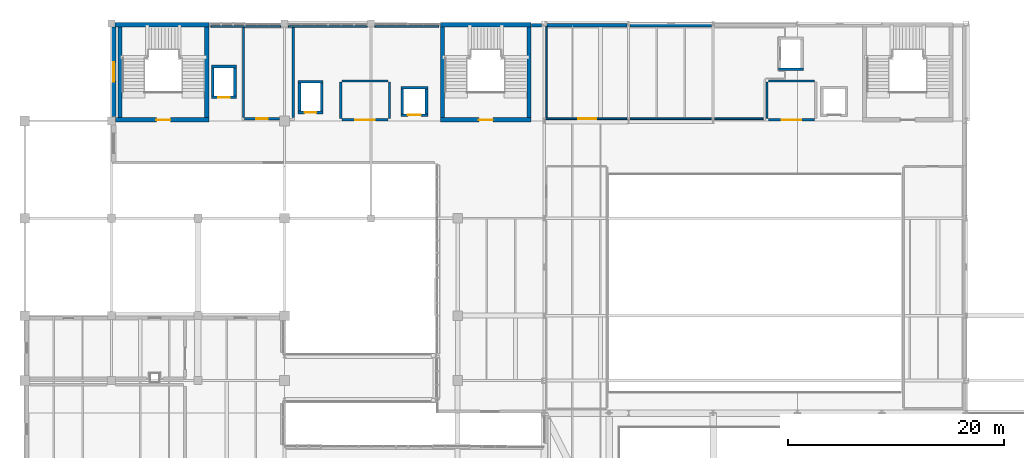
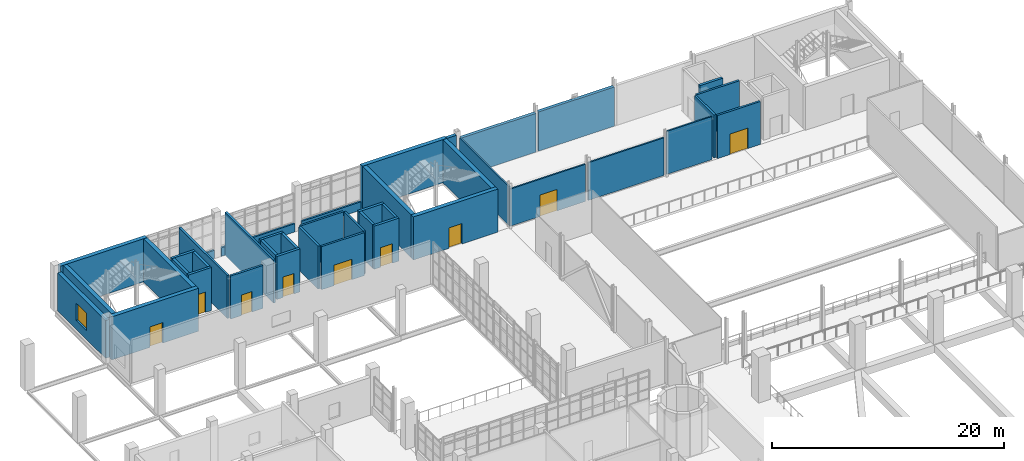
# One storey, part 90 of 100: 42 walls, 9 doors, 1 window, 10 openings.
"""IFC4 building model written with IfcOpenShell, lengths in metres."""

from ifc_helpers import new_model, si_unit, derived_unit, direction, frame, frame_2d, origin, place, context, subcontext, project, spatial, rectangle, extrude, material, layer, layer_set, type_object, element, fill, save


model = new_model("IFC4")

# Units and contexts
model_context = context("Model", 3, precision=1e-05, world=origin(), true_north=direction((0.0, 1.0)))
body_context = subcontext(model_context, "Body", "Model", "MODEL_VIEW")
ifc_project = project(units=[si_unit("LENGTHUNIT", "METRE"), si_unit("AREAUNIT", "SQUARE_METRE"), si_unit("VOLUMEUNIT", "CUBIC_METRE"), si_unit("PLANEANGLEUNIT", "RADIAN"), si_unit("MASSUNIT", "GRAM", prefix="KILO"), derived_unit("THERMALTRANSMITTANCEUNIT", [(si_unit("POWERUNIT", "WATT"), 1), (si_unit("LENGTHUNIT", "METRE"), -2), (si_unit("THERMODYNAMICTEMPERATUREUNIT", "KELVIN"), -1)])], contexts=[model_context])

# Site, building, storey
site_placement = place(None, origin())
site = spatial("IfcSite", under=ifc_project, at=site_placement, CompositionType="ELEMENT")
building_placement = place(site_placement, origin())
building = spatial("IfcBuilding", under=site, at=building_placement, Name="Nallur Shell Playhouse", CompositionType="ELEMENT")
storey_placement = place(building_placement, frame((0.0, 0.0, 10.199951171875)))
storey = spatial("IfcBuildingStorey", under=building, at=storey_placement, Name="L03", CompositionType="ELEMENT", Elevation=10.199951171875)

# Wall, opening, door
ifc_material_1 = material(Name="Concrete M45", Category="concrete")
ifc_layer_1 = layer(ifc_material_1, 0.39990234375)
ifc_layer_set_1 = layer_set([ifc_layer_1], Name="Concrete M45")
wall_type_1 = type_object("IfcWallType", Name="WL-CORE-400", PredefinedType="SHEAR", material=ifc_layer_set_1)
wall_1_placement = place(storey_placement, frame((54.39990234375, 74.10009765625, 0.0), z_axis=(0.0, 0.0, 1.0), x_axis=(1.0, 0.0, 0.0)))
wall_1 = element("IfcWall", 1, at=wall_1_placement, inside=storey, type_object=wall_type_1, Name="Joint Core JC-3 shear wall S (L03)", PredefinedType="SHEAR", context=body_context, shape_type="SweptSolid", body=[
    extrude(rectangle(XDim=8.400146484375, YDim=0.39990234375, at=frame_2d((4.2001953125, 0.0))), origin(), (0.0, 0.0, 1.0), 4.5400390625),
])
opening_1_placement = place(wall_1_placement, frame((3.550048828125, 0.0, 0.0)))
opening_1 = element("IfcOpeningElement", 2, at=opening_1_placement, cuts=wall_1, Name="Opening FD-ST2", PredefinedType="OPENING", context=body_context, shape_type="SweptSolid", body=[
    extrude(rectangle(XDim=1.300048828125, YDim=2.14990234375, at=frame_2d((0.64990234375, 1.074951171875))), frame((0.0, 0.2099609375, 0.0), z_axis=(0.0, -1.0, 0.0), x_axis=(1.0, 0.0, 0.0)), (0.0, 0.0, 1.0), 0.419921875),
])
ifc_material_2 = material(Name="Galvanised Steel Fire-Rated Stair Door", Category="steel")
door_type_1 = type_object("IfcDoorType", Name="DR-INT-STAIR-R", OperationType="SINGLE_SWING_RIGHT", PredefinedType="DOOR", material=ifc_material_2)
door_1_placement = place(opening_1_placement, origin())
door_1 = element("IfcDoor", 3, at=door_1_placement, inside=storey, type_object=door_type_1, Name="Exit stair ST-03 fire door (L03)", OperationType="SINGLE_SWING_RIGHT", OverallHeight=2.14990234375, OverallWidth=1.300048828125, PredefinedType="DOOR", context=body_context, shape_type="SweptSolid", body=[
    extrude(rectangle(XDim=1.300048828125, YDim=2.14990234375, at=frame_2d((0.64990234375, 1.074951171875))), frame((0.0, 0.02490234375, 0.0), z_axis=(0.0, -1.0, 0.0), x_axis=(1.0, 0.0, 0.0)), (0.0, 0.0, 1.0), 0.050048828125),
])
fill(opening_1, door_1)

# Walls
wall_2_placement = place(storey_placement, frame((62.800048828125, 82.89990234375, 0.0), z_axis=(0.0, 0.0, 1.0), x_axis=(-1.0, 0.0, 0.0)))
element("IfcWall", 4, at=wall_2_placement, inside=storey, type_object=wall_type_1, Name="Joint Core JC-3 shear wall N (L03)", PredefinedType="SHEAR", context=body_context, shape_type="SweptSolid", body=[
    extrude(rectangle(XDim=8.400146484375, YDim=0.39990234375, at=frame_2d((4.2001953125, 0.0))), origin(), (0.0, 0.0, 1.0), 4.5400390625),
])
for number, where, z_axis, x_axis, name in (
    (5, (62.60009765625, 74.31005859375, 0.0), (0.0, 0.0, 1.0), (0.0, 1.0, 0.0), "Joint Core JC-3 shear wall E (L03)"),
    (6, (54.60009765625, 82.68994140625, 0.0), (0.0, 0.0, 1.0), (0.0, -1.0, 0.0), "Joint Core JC-3 shear wall W (L03)"),
):
    element("IfcWall", number, at=place(storey_placement, frame(where, z_axis=z_axis, x_axis=x_axis)), inside=storey, type_object=wall_type_1, Name=name, PredefinedType="SHEAR", context=body_context, shape_type="SweptSolid", body=[
        extrude(rectangle(XDim=8.3798828125, YDim=0.39990234375, at=frame_2d((4.18994140625, 0.0))), origin(), (0.0, 0.0, 1.0), 4.5400390625),
    ])

# Wall, opening, door
wall_3_placement = place(storey_placement, frame((24.3740234375, 74.10009765625, 0.0), z_axis=(0.0, 0.0, 1.0), x_axis=(1.0, 0.0, 0.0)))
wall_3 = element("IfcWall", 7, at=wall_3_placement, inside=storey, type_object=wall_type_1, Name="Joint Core JC-6 shear wall S (L03)", PredefinedType="SHEAR", context=body_context, shape_type="SweptSolid", body=[
    extrude(rectangle(XDim=8.6259765625, YDim=0.39990234375, at=frame_2d((4.31298828125, 0.0))), origin(), (0.0, 0.0, 1.0), 4.5400390625),
])
opening_2_placement = place(wall_3_placement, frame((3.77587890625, 0.0, 0.0)))
opening_2 = element("IfcOpeningElement", 8, at=opening_2_placement, cuts=wall_3, Name="Opening FD-ST1", PredefinedType="OPENING", context=body_context, shape_type="SweptSolid", body=[
    extrude(rectangle(XDim=1.300048828125, YDim=2.14990234375, at=frame_2d((0.64990234375, 1.074951171875))), frame((0.0, 0.2099609375, 0.0), z_axis=(0.0, -1.0, 0.0), x_axis=(1.0, 0.0, 0.0)), (0.0, 0.0, 1.0), 0.419921875),
])
door_type_2 = type_object("IfcDoorType", Name="DR-INT-STAIR-L", OperationType="SINGLE_SWING_LEFT", PredefinedType="DOOR", material=ifc_material_2)
door_2_placement = place(opening_2_placement, origin())
door_2 = element("IfcDoor", 9, at=door_2_placement, inside=storey, type_object=door_type_2, Name="Exit stair ST-06 fire door (L03)", OperationType="SINGLE_SWING_LEFT", OverallHeight=2.14990234375, OverallWidth=1.300048828125, PredefinedType="DOOR", context=body_context, shape_type="SweptSolid", body=[
    extrude(rectangle(XDim=1.300048828125, YDim=2.14990234375, at=frame_2d((0.64990234375, 1.074951171875))), frame((0.0, 0.02490234375, 0.0), z_axis=(0.0, -1.0, 0.0), x_axis=(1.0, 0.0, 0.0)), (0.0, 0.0, 1.0), 0.050048828125),
])
fill(opening_2, door_2)

# Walls
wall_4_placement = place(storey_placement, frame((33.0, 82.89990234375, 0.0), z_axis=(0.0, 0.0, 1.0), x_axis=(-1.0, 0.0, 0.0)))
element("IfcWall", 10, at=wall_4_placement, inside=storey, type_object=wall_type_1, Name="Joint Core JC-6 shear wall N (L03)", PredefinedType="SHEAR", context=body_context, shape_type="SweptSolid", body=[
    extrude(rectangle(XDim=8.676025390625, YDim=0.39990234375, at=frame_2d((4.337890625, 0.0))), origin(), (0.0, 0.0, 1.0), 4.5400390625),
])
for number, where, z_axis, x_axis, name in (
    (11, (32.800048828125, 74.31005859375, 0.0), (0.0, 0.0, 1.0), (0.0, 1.0, 0.0), "Joint Core JC-6 shear wall E (L03)"),
    (12, (24.800048828125, 82.68994140625, 0.0), (0.0, 0.0, 1.0), (0.0, -1.0, 0.0), "Joint Core JC-6 shear wall W (L03)"),
):
    element("IfcWall", number, at=place(storey_placement, frame(where, z_axis=z_axis, x_axis=x_axis)), inside=storey, type_object=wall_type_1, Name=name, PredefinedType="SHEAR", context=body_context, shape_type="SweptSolid", body=[
        extrude(rectangle(XDim=8.3798828125, YDim=0.39990234375, at=frame_2d((4.18994140625, 0.0))), origin(), (0.0, 0.0, 1.0), 4.5400390625),
    ])
ifc_material_3 = material(Name="Concrete M35", Category="concrete")
ifc_layer_2 = layer(ifc_material_3, 0.300048828125)
ifc_layer_set_2 = layer_set([ifc_layer_2], Name="Concrete M35")
wall_type_2 = type_object("IfcWallType", Name="WL-EXT-RC300", PredefinedType="STANDARD", material=ifc_layer_set_2)
wall_5_placement = place(storey_placement, frame((62.803955078125, 82.830078125, 0.0), z_axis=(0.0, 0.0, 1.0), x_axis=(1.0, 0.0, 0.0)))
element("IfcWall", 13, at=wall_5_placement, inside=storey, type_object=wall_type_2, Name="L03 exterior wall EW-L03-132", PredefinedType="STANDARD", context=body_context, shape_type="SweptSolid", body=[
    extrude(rectangle(XDim=0.963134765625, YDim=0.300048828125, at=frame_2d((0.4814453125, 0.0))), origin(), (0.0, 0.0, 1.0), 4.5400390625),
])
wall_6_placement = place(storey_placement, frame((64.23291015625, 82.830078125, 0.0), z_axis=(0.0, 0.0, 1.0), x_axis=(1.0, 0.0, 0.0)))
element("IfcWall", 14, at=wall_6_placement, inside=storey, type_object=wall_type_2, Name="L03 exterior wall EW-L03-133", PredefinedType="STANDARD", context=body_context, shape_type="SweptSolid", body=[
    extrude(rectangle(XDim=7.43408203125, YDim=0.300048828125, at=frame_2d((3.717041015625, 0.0))), origin(), (0.0, 0.0, 1.0), 4.074951171875),
])
wall_7_placement = place(storey_placement, frame((71.93310546875, 82.830078125, 0.0), z_axis=(0.0, 0.0, 1.0), x_axis=(1.0, 0.0, 0.0)))
element("IfcWall", 15, at=wall_7_placement, inside=storey, type_object=wall_type_2, Name="L03 exterior wall EW-L03-134", PredefinedType="STANDARD", context=body_context, shape_type="SweptSolid", body=[
    extrude(rectangle(XDim=7.533935546875, YDim=0.300048828125, at=frame_2d((3.76708984375, 0.0))), origin(), (0.0, 0.0, 1.0), 4.125),
])

# Wall, opening, window
ifc_material_4 = material(Name="Concrete M40", Category="concrete")
ifc_layer_3 = layer(ifc_material_4, 0.39990234375)
ifc_layer_set_3 = layer_set([ifc_layer_3], Name="Concrete M40")
wall_type_3 = type_object("IfcWallType", Name="WL-EXT-RC400", PredefinedType="STANDARD", material=ifc_layer_set_3)
wall_8_placement = place(storey_placement, frame((24.219970703125, 74.383056640625, 0.0), z_axis=(0.0, 0.0, 1.0), x_axis=(0.0, 1.0, 0.0)))
wall_8 = element("IfcWall", 16, at=wall_8_placement, inside=storey, type_object=wall_type_3, Name="L03 exterior wall EW-L03-131", PredefinedType="STANDARD", context=body_context, shape_type="SweptSolid", body=[
    extrude(rectangle(XDim=8.283935546875, YDim=0.39990234375, at=frame_2d((4.14208984375, 0.0))), origin(), (0.0, 0.0, 1.0), 3.97509765625),
])
opening_3_placement = place(wall_8_placement, frame((3.241943359375, 0.0, 0.949951171875)))
opening_3 = element("IfcOpeningElement", 17, at=opening_3_placement, cuts=wall_8, Name="Opening WN-23", PredefinedType="OPENING", context=body_context, shape_type="SweptSolid", body=[
    extrude(rectangle(XDim=1.800048828125, YDim=1.800048828125, at=frame_2d((0.89990234375, 0.89990234375))), frame((0.0, 0.2099609375, 0.0), z_axis=(0.0, -1.0, 0.0), x_axis=(1.0, 0.0, 0.0)), (0.0, 0.0, 1.0), 0.419921875),
])
ifc_material_5 = material(Name="Thermally Broken Aluminium Acoustic Double-Glazed Window", Category="aluminium")
window_type = type_object("IfcWindowType", Name="WN-TYPE-23", PartitioningType="SINGLE_PANEL", PredefinedType="WINDOW", material=ifc_material_5)
window_placement = place(opening_3_placement, origin())
window = element("IfcWindow", 18, at=window_placement, inside=storey, type_object=window_type, Name="L03 facade module window 055", OverallHeight=1.800048828125, OverallWidth=1.800048828125, PartitioningType="SINGLE_PANEL", PredefinedType="WINDOW", context=body_context, shape_type="SweptSolid", body=[
    extrude(rectangle(XDim=1.800048828125, YDim=1.800048828125, at=frame_2d((0.89990234375, 0.89990234375))), frame((0.0, 0.030029296875, 0.0), z_axis=(0.0, -1.0, 0.0), x_axis=(1.0, 0.0, 0.0)), (0.0, 0.0, 1.0), 0.06005859375),
])
fill(opening_3, window)

# Walls
ifc_layer_4 = layer(ifc_material_3, 0.179931640625)
ifc_layer_set_4 = layer_set([ifc_layer_4], Name="Concrete M35")
wall_type_4 = type_object("IfcWallType", Name="WL-PARAPET-180", PredefinedType="PARAPET", material=ifc_layer_set_4)
wall_9_placement = place(storey_placement, frame((33.169921875, 82.760009765625, 0.0), z_axis=(0.0, 0.0, 1.0), x_axis=(1.0, 0.0, 0.0)))
element("IfcWall", 19, at=wall_9_placement, inside=storey, type_object=wall_type_4, Name="L03 curtain-wall internal spandrel upstand 033", PredefinedType="PARAPET", context=body_context, shape_type="SweptSolid", body=[
    extrude(rectangle(XDim=6.4951171875, YDim=0.179931640625, at=frame_2d((3.24755859375, 0.0))), origin(), (0.0, 0.0, 1.0), 0.880126953125),
])
wall_10_placement = place(storey_placement, frame((40.3349609375, 82.760009765625, 0.0), z_axis=(0.0, 0.0, 1.0), x_axis=(1.0, 0.0, 0.0)))
element("IfcWall", 20, at=wall_10_placement, inside=storey, type_object=wall_type_4, Name="L03 curtain-wall internal spandrel upstand 034", PredefinedType="PARAPET", context=body_context, shape_type="SweptSolid", body=[
    extrude(rectangle(XDim=7.330078125, YDim=0.179931640625, at=frame_2d((3.6650390625, 0.0))), origin(), (0.0, 0.0, 1.0), 0.880126953125),
])
wall_11_placement = place(storey_placement, frame((48.3349609375, 82.760009765625, 0.0), z_axis=(0.0, 0.0, 1.0), x_axis=(1.0, 0.0, 0.0)))
element("IfcWall", 21, at=wall_11_placement, inside=storey, type_object=wall_type_4, Name="L03 curtain-wall internal spandrel upstand 035", PredefinedType="PARAPET", context=body_context, shape_type="SweptSolid", body=[
    extrude(rectangle(XDim=5.89501953125, YDim=0.179931640625, at=frame_2d((2.947509765625, 0.0))), origin(), (0.0, 0.0, 1.0), 0.880126953125),
])
ifc_material_6 = material(Name="Concrete M30", Category="concrete")
ifc_layer_5 = layer(ifc_material_6, 0.199951171875)
ifc_layer_set_5 = layer_set([ifc_layer_5], Name="Concrete M30")
wall_type_5 = type_object("IfcWallType", Name="WL-PART-AC200", PredefinedType="PARTITIONING", material=ifc_layer_set_5)
wall_12_placement = place(storey_placement, frame((45.199951171875, 74.219970703125, 0.0), z_axis=(0.0, 0.0, 1.0), x_axis=(0.0, 1.0, 0.0)))
element("IfcWall", 22, at=wall_12_placement, inside=storey, type_object=wall_type_5, Name="Firefighting Lobby JC-3 partition IW-L03-0197", PredefinedType="PARTITIONING", context=body_context, shape_type="SweptSolid", body=[
    extrude(rectangle(XDim=3.360107421875, YDim=0.199951171875, at=frame_2d((1.68017578125, 0.0))), origin(), (0.0, 0.0, 1.0), 4.530029296875),
])
wall_13_placement = place(storey_placement, frame((45.320068359375, 77.699951171875, 0.0), z_axis=(0.0, 0.0, 1.0), x_axis=(1.0, 0.0, 0.0)))
element("IfcWall", 23, at=wall_13_placement, inside=storey, type_object=wall_type_5, Name="Firefighting Lobby JC-3 partition IW-L03-0198", PredefinedType="PARTITIONING", context=body_context, shape_type="SweptSolid", body=[
    extrude(rectangle(XDim=4.260009765625, YDim=0.199951171875, at=frame_2d((2.1298828125, 0.0))), origin(), (0.0, 0.0, 1.0), 4.530029296875),
])
wall_14_placement = place(storey_placement, frame((49.699951171875, 77.580078125, 0.0), z_axis=(0.0, 0.0, 1.0), x_axis=(0.0, -1.0, 0.0)))
element("IfcWall", 24, at=wall_14_placement, inside=storey, type_object=wall_type_5, Name="Firefighting Lobby JC-3 partition IW-L03-0199", PredefinedType="PARTITIONING", context=body_context, shape_type="SweptSolid", body=[
    extrude(rectangle(XDim=3.360107421875, YDim=0.199951171875, at=frame_2d((1.68017578125, 0.0))), origin(), (0.0, 0.0, 1.0), 4.530029296875),
])

# Wall, opening, door
wall_15_placement = place(storey_placement, frame((49.580078125, 74.10009765625, 0.0), z_axis=(0.0, 0.0, 1.0), x_axis=(-1.0, 0.0, 0.0)))
wall_15 = element("IfcWall", 25, at=wall_15_placement, inside=storey, type_object=wall_type_5, Name="Firefighting Lobby JC-3 partition IW-L03-0200", PredefinedType="PARTITIONING", context=body_context, shape_type="SweptSolid", body=[
    extrude(rectangle(XDim=4.260009765625, YDim=0.199951171875, at=frame_2d((2.1298828125, 0.0))), origin(), (0.0, 0.0, 1.0), 4.530029296875),
])
opening_4_placement = place(wall_15_placement, frame((1.22998046875, 0.0, 0.0)))
opening_4 = element("IfcOpeningElement", 26, at=opening_4_placement, cuts=wall_15, Name="Opening FD-FL1", PredefinedType="OPENING", context=body_context, shape_type="SweptSolid", body=[
    extrude(rectangle(XDim=1.800048828125, YDim=2.14990234375, at=frame_2d((0.89990234375, 1.074951171875))), frame((0.0, 0.10986328125, 0.0), z_axis=(0.0, -1.0, 0.0), x_axis=(1.0, 0.0, 0.0)), (0.0, 0.0, 1.0), 0.219970703125),
])
ifc_material_7 = material(Name="Firefighting Lobby Smoke-Seal Double Door")
door_type_3 = type_object("IfcDoorType", Name="DR-INT-FFL-DBL", OperationType="DOUBLE_DOOR_SINGLE_SWING", PredefinedType="DOOR", material=ifc_material_7)
door_3_placement = place(opening_4_placement, origin())
door_3 = element("IfcDoor", 27, at=door_3_placement, inside=storey, type_object=door_type_3, Name="Firefighting Lobby JC-3 smoke-seal door (L03)", OperationType="DOUBLE_DOOR_SINGLE_SWING", OverallHeight=2.14990234375, OverallWidth=1.800048828125, PredefinedType="DOOR", context=body_context, shape_type="SweptSolid", body=[
    extrude(rectangle(XDim=1.800048828125, YDim=2.14990234375, at=frame_2d((0.89990234375, 1.074951171875))), frame((0.0, 0.02490234375, 0.0), z_axis=(0.0, -1.0, 0.0), x_axis=(1.0, 0.0, 0.0)), (0.0, 0.0, 1.0), 0.050048828125),
])
fill(opening_4, door_3)

# Walls
wall_16_placement = place(storey_placement, frame((84.60009765625, 74.219970703125, 0.0), z_axis=(0.0, 0.0, 1.0), x_axis=(0.0, 1.0, 0.0)))
element("IfcWall", 28, at=wall_16_placement, inside=storey, type_object=wall_type_5, Name="Firefighting Lobby JC-4 partition IW-L03-0201", PredefinedType="PARTITIONING", context=body_context, shape_type="SweptSolid", body=[
    extrude(rectangle(XDim=3.360107421875, YDim=0.199951171875, at=frame_2d((1.68017578125, 0.0))), origin(), (0.0, 0.0, 1.0), 4.530029296875),
])
wall_17_placement = place(storey_placement, frame((84.719970703125, 77.699951171875, 0.0), z_axis=(0.0, 0.0, 1.0), x_axis=(1.0, 0.0, 0.0)))
element("IfcWall", 29, at=wall_17_placement, inside=storey, type_object=wall_type_5, Name="Firefighting Lobby JC-4 partition IW-L03-0202", PredefinedType="PARTITIONING", context=body_context, shape_type="SweptSolid", body=[
    extrude(rectangle(XDim=4.260009765625, YDim=0.199951171875, at=frame_2d((2.1298828125, 0.0))), origin(), (0.0, 0.0, 1.0), 4.530029296875),
])

# Wall, opening, door
wall_18_placement = place(storey_placement, frame((88.97998046875, 74.10009765625, 0.0), z_axis=(0.0, 0.0, 1.0), x_axis=(-1.0, 0.0, 0.0)))
wall_18 = element("IfcWall", 30, at=wall_18_placement, inside=storey, type_object=wall_type_5, Name="Firefighting Lobby JC-4 partition IW-L03-0204", PredefinedType="PARTITIONING", context=body_context, shape_type="SweptSolid", body=[
    extrude(rectangle(XDim=4.260009765625, YDim=0.199951171875, at=frame_2d((2.1298828125, 0.0))), origin(), (0.0, 0.0, 1.0), 4.530029296875),
])
opening_5_placement = place(wall_18_placement, frame((1.22998046875, 0.0, 0.0)))
opening_5 = element("IfcOpeningElement", 31, at=opening_5_placement, cuts=wall_18, Name="Opening FD-FL1", PredefinedType="OPENING", context=body_context, shape_type="SweptSolid", body=[
    extrude(rectangle(XDim=1.800048828125, YDim=2.14990234375, at=frame_2d((0.89990234375, 1.074951171875))), frame((0.0, 0.10986328125, 0.0), z_axis=(0.0, -1.0, 0.0), x_axis=(1.0, 0.0, 0.0)), (0.0, 0.0, 1.0), 0.219970703125),
])
door_4_placement = place(opening_5_placement, origin())
door_4 = element("IfcDoor", 32, at=door_4_placement, inside=storey, type_object=door_type_3, Name="Firefighting Lobby JC-4 smoke-seal door (L03)", OperationType="DOUBLE_DOOR_SINGLE_SWING", OverallHeight=2.14990234375, OverallWidth=1.800048828125, PredefinedType="DOOR", context=body_context, shape_type="SweptSolid", body=[
    extrude(rectangle(XDim=1.800048828125, YDim=2.14990234375, at=frame_2d((0.89990234375, 1.074951171875))), frame((0.0, 0.02490234375, 0.0), z_axis=(0.0, -1.0, 0.0), x_axis=(1.0, 0.0, 0.0)), (0.0, 0.0, 1.0), 0.050048828125),
])
fill(opening_5, door_4)

# Wall
wall_19_placement = place(storey_placement, frame((40.800048828125, 82.666015625, 0.0), z_axis=(0.0, 0.0, 1.0), x_axis=(0.0, -1.0, 0.0)))
element("IfcWall", 33, at=wall_19_placement, inside=storey, type_object=wall_type_5, Name="Millinery, Dyeing & Mask Craft Studio partition IW-L03-0257", PredefinedType="PARTITIONING", context=body_context, shape_type="SweptSolid", body=[
    extrude(rectangle(XDim=8.345947265625, YDim=0.199951171875, at=frame_2d((4.1728515625, 0.0))), origin(), (0.0, 0.0, 1.0), 4.530029296875),
])

# Wall, opening, door
wall_20_placement = place(storey_placement, frame((39.534912109375, 74.199951171875, 0.0), z_axis=(0.0, 0.0, 1.0), x_axis=(-1.0, 0.0, 0.0)))
wall_20 = element("IfcWall", 34, at=wall_20_placement, inside=storey, type_object=wall_type_5, Name="Millinery, Dyeing & Mask Craft Studio partition IW-L03-0258", PredefinedType="PARTITIONING", context=body_context, shape_type="SweptSolid", body=[
    extrude(rectangle(XDim=3.21484375, YDim=0.199951171875, at=frame_2d((1.607421875, 0.0))), origin(), (0.0, 0.0, 1.0), 4.530029296875),
])
opening_6_placement = place(wall_20_placement, frame((1.08203125, 0.0, 0.0)))
opening_6 = element("IfcOpeningElement", 35, at=opening_6_placement, cuts=wall_20, Name="Opening ID-01", PredefinedType="OPENING", context=body_context, shape_type="SweptSolid", body=[
    extrude(rectangle(XDim=1.050048828125, YDim=2.14990234375, at=frame_2d((0.52490234375, 1.074951171875))), frame((0.0, 0.10986328125, 0.0), z_axis=(0.0, -1.0, 0.0), x_axis=(1.0, 0.0, 0.0)), (0.0, 0.0, 1.0), 0.219970703125),
])
ifc_material_8 = material(Name="Solid-Core Engineered Timber Fire Door", Category="wood")
door_type_4 = type_object("IfcDoorType", Name="DR-INT-SGL1050L", OperationType="SINGLE_SWING_LEFT", PredefinedType="DOOR", material=ifc_material_8)
door_5_placement = place(opening_6_placement, origin())
door_5 = element("IfcDoor", 36, at=door_5_placement, inside=storey, type_object=door_type_4, Name="Millinery, Dyeing & Mask Craft Studio door 1", OperationType="SINGLE_SWING_LEFT", OverallHeight=2.14990234375, OverallWidth=1.050048828125, PredefinedType="DOOR", context=body_context, shape_type="SweptSolid", body=[
    extrude(rectangle(XDim=1.050048828125, YDim=2.14990234375, at=frame_2d((0.52490234375, 1.074951171875))), frame((0.0, 0.02490234375, 0.0), z_axis=(0.0, -1.0, 0.0), x_axis=(1.0, 0.0, 0.0)), (0.0, 0.0, 1.0), 0.050048828125),
])
fill(opening_6, door_5)

# Walls
wall_21_placement = place(storey_placement, frame((36.199951171875, 74.320068359375, 0.0), z_axis=(0.0, 0.0, 1.0), x_axis=(0.0, 1.0, 0.0)))
element("IfcWall", 37, at=wall_21_placement, inside=storey, type_object=wall_type_5, Name="Millinery, Dyeing & Mask Craft Studio partition IW-L03-0259", PredefinedType="PARTITIONING", context=body_context, shape_type="SweptSolid", body=[
    extrude(rectangle(XDim=8.345947265625, YDim=0.199951171875, at=frame_2d((4.1728515625, 0.0))), origin(), (0.0, 0.0, 1.0), 4.530029296875),
])
ifc_material_9 = material(Name="Concrete M25 Fire Blockwork", Category="masonry")
ifc_layer_6 = layer(ifc_material_9, 0.14990234375)
ifc_layer_set_6 = layer_set([ifc_layer_6], Name="Concrete M25 Fire Blockwork")
wall_type_6 = type_object("IfcWallType", Name="WL-PART-FR150", PredefinedType="PARTITIONING", material=ifc_layer_set_6)
wall_22_placement = place(storey_placement, frame((64.199951171875, 74.294921875, 0.0), z_axis=(0.0, 0.0, 1.0), x_axis=(0.0, 1.0, 0.0)))
element("IfcWall", 38, at=wall_22_placement, inside=storey, type_object=wall_type_6, Name="Set & Lighting Designers Drafting Studio partition IW-L03-0253", PredefinedType="PARTITIONING", context=body_context, shape_type="SweptSolid", body=[
    extrude(rectangle(XDim=8.47607421875, YDim=0.14990234375, at=frame_2d((4.238037109375, 0.0))), origin(), (0.0, 0.0, 1.0), 4.070068359375),
])
wall_23_placement = place(storey_placement, frame((84.22509765625, 74.199951171875, 0.0), z_axis=(0.0, 0.0, 1.0), x_axis=(-1.0, 0.0, 0.0)))
element("IfcWall", 39, at=wall_23_placement, inside=storey, type_object=wall_type_6, Name="Set & Lighting Designers Drafting Studio partition IW-L03-0254", PredefinedType="PARTITIONING", context=body_context, shape_type="SweptSolid", body=[
    extrude(rectangle(XDim=4.485107421875, YDim=0.14990234375, at=frame_2d((2.24267578125, 0.0))), origin(), (0.0, 0.0, 1.0), 4.530029296875),
])
wall_24_placement = place(storey_placement, frame((79.4599609375, 74.199951171875, 0.0), z_axis=(0.0, 0.0, 1.0), x_axis=(-1.0, 0.0, 0.0)))
element("IfcWall", 40, at=wall_24_placement, inside=storey, type_object=wall_type_6, Name="Set & Lighting Designers Drafting Studio partition IW-L03-0255", PredefinedType="PARTITIONING", context=body_context, shape_type="SweptSolid", body=[
    extrude(rectangle(XDim=7.52001953125, YDim=0.14990234375, at=frame_2d((3.760009765625, 0.0))), origin(), (0.0, 0.0, 1.0), 3.969970703125),
])

# Wall, opening, door
wall_25_placement = place(storey_placement, frame((71.659912109375, 74.199951171875, 0.0), z_axis=(0.0, 0.0, 1.0), x_axis=(-1.0, 0.0, 0.0)))
wall_25 = element("IfcWall", 41, at=wall_25_placement, inside=storey, type_object=wall_type_6, Name="Set & Lighting Designers Drafting Studio partition IW-L03-0256", PredefinedType="PARTITIONING", context=body_context, shape_type="SweptSolid", body=[
    extrude(rectangle(XDim=7.531005859375, YDim=0.14990234375, at=frame_2d((3.765625, 0.0))), origin(), (0.0, 0.0, 1.0), 3.920166015625),
])
opening_7_placement = place(wall_25_placement, frame((2.83203125, 0.0, 0.0)))
opening_7 = element("IfcOpeningElement", 42, at=opening_7_placement, cuts=wall_25, Name="Opening RD-01", PredefinedType="OPENING", context=body_context, shape_type="SweptSolid", body=[
    extrude(rectangle(XDim=1.699951171875, YDim=2.25, at=frame_2d((0.85009765625, 1.125))), frame((0.0, 0.0849609375, 0.0), z_axis=(0.0, -1.0, 0.0), x_axis=(1.0, 0.0, 0.0)), (0.0, 0.0, 1.0), 0.169921875),
])
ifc_material_10 = material(Name="Rehearsal Hall Acoustic Double Door")
door_type_5 = type_object("IfcDoorType", Name="DR-INT-RHL-DBL", OperationType="DOUBLE_DOOR_SINGLE_SWING", PredefinedType="DOOR", material=ifc_material_10)
door_6_placement = place(opening_7_placement, origin())
door_6 = element("IfcDoor", 43, at=door_6_placement, inside=storey, type_object=door_type_5, Name="Set & Lighting Designers Drafting Studio door 1", OperationType="DOUBLE_DOOR_SINGLE_SWING", OverallHeight=2.25, OverallWidth=1.699951171875, PredefinedType="DOOR", context=body_context, shape_type="SweptSolid", body=[
    extrude(rectangle(XDim=1.699951171875, YDim=2.25, at=frame_2d((0.85009765625, 1.125))), frame((0.0, 0.02490234375, 0.0), z_axis=(0.0, -1.0, 0.0), x_axis=(1.0, 0.0, 0.0)), (0.0, 0.0, 1.0), 0.050048828125),
])
fill(opening_7, door_6)

ifc_layer_7 = layer(ifc_material_1, 0.25)
ifc_layer_set_7 = layer_set([ifc_layer_7], Name="Concrete M45")
wall_type_7 = type_object("IfcWallType", Name="WL-SHAFT-250", PredefinedType="STANDARD", material=ifc_layer_set_7)
wall_26_placement = place(storey_placement, frame((50.75, 74.52490234375, 0.0), z_axis=(0.0, 0.0, 1.0), x_axis=(1.0, 0.0, 0.0)))
wall_26 = element("IfcWall", 44, at=wall_26_placement, inside=storey, type_object=wall_type_7, Name="Fireman's Lift FL-1 shaft wall south (L03)", PredefinedType="STANDARD", context=body_context, shape_type="SweptSolid", body=[
    extrude(rectangle(XDim=2.5, YDim=0.25, at=frame_2d((1.25, 0.0))), origin(), (0.0, 0.0, 1.0), 4.530029296875),
])
opening_8_placement = place(wall_26_placement, frame((0.64990234375, 0.0, 0.0)))
opening_8 = element("IfcOpeningElement", 45, at=opening_8_placement, cuts=wall_26, Name="Opening LD-F1", PredefinedType="OPENING", context=body_context, shape_type="SweptSolid", body=[
    extrude(rectangle(XDim=1.199951171875, YDim=2.050048828125, at=frame_2d((0.60009765625, 1.02490234375))), frame((0.0, 0.135009765625, 0.0), z_axis=(0.0, -1.0, 0.0), x_axis=(1.0, 0.0, 0.0)), (0.0, 0.0, 1.0), 0.27001953125),
])
ifc_material_11 = material(Name="Fireman Lift Fire-Rated Sliding Landing Door")
door_type_6 = type_object("IfcDoorType", Name="DR-LIFT-FIRE", OperationType="DOUBLE_DOOR_SLIDING", PredefinedType="DOOR", material=ifc_material_11)
door_7_placement = place(opening_8_placement, origin())
door_7 = element("IfcDoor", 46, at=door_7_placement, inside=storey, type_object=door_type_6, Name="Fireman's Lift FL-1 sliding landing door (L03)", OperationType="DOUBLE_DOOR_SLIDING", OverallHeight=2.050048828125, OverallWidth=1.199951171875, PredefinedType="DOOR", context=body_context, shape_type="SweptSolid", body=[
    extrude(rectangle(XDim=1.199951171875, YDim=2.050048828125, at=frame_2d((0.60009765625, 1.02490234375))), frame((0.0, 0.02490234375, 0.0), z_axis=(0.0, -1.0, 0.0), x_axis=(1.0, 0.0, 0.0)), (0.0, 0.0, 1.0), 0.050048828125),
])
fill(opening_8, door_7)

# Walls
wall_27_placement = place(storey_placement, frame((53.25, 77.074951171875, 0.0), z_axis=(0.0, 0.0, 1.0), x_axis=(-1.0, 0.0, 0.0)))
element("IfcWall", 47, at=wall_27_placement, inside=storey, type_object=wall_type_7, Name="Fireman's Lift FL-1 shaft wall north (L03)", PredefinedType="STANDARD", context=body_context, shape_type="SweptSolid", body=[
    extrude(rectangle(XDim=2.5, YDim=0.25, at=frame_2d((1.25, 0.0))), origin(), (0.0, 0.0, 1.0), 4.530029296875),
])
for number, where, z_axis, x_axis, name in (
    (48, (53.125, 74.659912109375, 0.0), (0.0, 0.0, 1.0), (0.0, 1.0, 0.0), "Fireman's Lift FL-1 shaft wall east (L03)"),
    (49, (50.875, 76.93994140625, 0.0), (0.0, 0.0, 1.0), (0.0, -1.0, 0.0), "Fireman's Lift FL-1 shaft wall west (L03)"),
):
    element("IfcWall", number, at=place(storey_placement, frame(where, z_axis=z_axis, x_axis=x_axis)), inside=storey, type_object=wall_type_7, Name=name, PredefinedType="STANDARD", context=body_context, shape_type="SweptSolid", body=[
        extrude(rectangle(XDim=2.280029296875, YDim=0.25, at=frame_2d((1.14013671875, 0.0))), origin(), (0.0, 0.0, 1.0), 4.530029296875),
    ])

# Wall, opening, door
wall_28_placement = place(storey_placement, frame((41.25, 74.77490234375, 0.0), z_axis=(0.0, 0.0, 1.0), x_axis=(1.0, 0.0, 0.0)))
wall_28 = element("IfcWall", 50, at=wall_28_placement, inside=storey, type_object=wall_type_7, Name="Passenger Lift PL-3 shaft wall south (L03)", PredefinedType="STANDARD", context=body_context, shape_type="SweptSolid", body=[
    extrude(rectangle(XDim=2.300048828125, YDim=0.25, at=frame_2d((1.14990234375, 0.0))), origin(), (0.0, 0.0, 1.0), 4.530029296875),
])
opening_9_placement = place(wall_28_placement, frame((0.60009765625, 0.0, 0.0)))
opening_9 = element("IfcOpeningElement", 51, at=opening_9_placement, cuts=wall_28, Name="Opening LD-P1", PredefinedType="OPENING", context=body_context, shape_type="SweptSolid", body=[
    extrude(rectangle(XDim=1.10009765625, YDim=2.14990234375, at=frame_2d((0.550048828125, 1.074951171875))), frame((0.0, 0.135009765625, 0.0), z_axis=(0.0, -1.0, 0.0), x_axis=(1.0, 0.0, 0.0)), (0.0, 0.0, 1.0), 0.27001953125),
])
ifc_material_12 = material(Name="Brushed Stainless Steel Lift Landing Door", Category="steel")
door_type_7 = type_object("IfcDoorType", Name="DR-LIFT-PASS", OperationType="DOUBLE_DOOR_SLIDING", PredefinedType="DOOR", material=ifc_material_12)
door_8_placement = place(opening_9_placement, origin())
door_8 = element("IfcDoor", 52, at=door_8_placement, inside=storey, type_object=door_type_7, Name="Passenger Lift PL-3 sliding landing door (L03)", OperationType="DOUBLE_DOOR_SLIDING", OverallHeight=2.14990234375, OverallWidth=1.10009765625, PredefinedType="DOOR", context=body_context, shape_type="SweptSolid", body=[
    extrude(rectangle(XDim=1.10009765625, YDim=2.14990234375, at=frame_2d((0.550048828125, 1.074951171875))), frame((0.0, 0.02490234375, 0.0), z_axis=(0.0, -1.0, 0.0), x_axis=(1.0, 0.0, 0.0)), (0.0, 0.0, 1.0), 0.050048828125),
])
fill(opening_9, door_8)

# Walls
wall_29_placement = place(storey_placement, frame((43.550048828125, 77.625, 0.0), z_axis=(0.0, 0.0, 1.0), x_axis=(-1.0, 0.0, 0.0)))
element("IfcWall", 53, at=wall_29_placement, inside=storey, type_object=wall_type_7, Name="Passenger Lift PL-3 shaft wall north (L03)", PredefinedType="STANDARD", context=body_context, shape_type="SweptSolid", body=[
    extrude(rectangle(XDim=2.300048828125, YDim=0.25, at=frame_2d((1.14990234375, 0.0))), origin(), (0.0, 0.0, 1.0), 4.530029296875),
])
for number, where, z_axis, x_axis, name in (
    (54, (43.425048828125, 74.909912109375, 0.0), (0.0, 0.0, 1.0), (0.0, 1.0, 0.0), "Passenger Lift PL-3 shaft wall east (L03)"),
    (55, (41.375, 77.489990234375, 0.0), (0.0, 0.0, 1.0), (0.0, -1.0, 0.0), "Passenger Lift PL-3 shaft wall west (L03)"),
):
    element("IfcWall", number, at=place(storey_placement, frame(where, z_axis=z_axis, x_axis=x_axis)), inside=storey, type_object=wall_type_7, Name=name, PredefinedType="STANDARD", context=body_context, shape_type="SweptSolid", body=[
        extrude(rectangle(XDim=2.580078125, YDim=0.25, at=frame_2d((1.2900390625, 0.0))), origin(), (0.0, 0.0, 1.0), 4.530029296875),
    ])
wall_30_placement = place(storey_placement, frame((85.64990234375, 78.77490234375, 0.0), z_axis=(0.0, 0.0, 1.0), x_axis=(1.0, 0.0, 0.0)))
element("IfcWall", 56, at=wall_30_placement, inside=storey, type_object=wall_type_7, Name="Passenger Lift PL-4 shaft wall south (L03)", PredefinedType="STANDARD", context=body_context, shape_type="SweptSolid", body=[
    extrude(rectangle(XDim=2.300048828125, YDim=0.25, at=frame_2d((1.14990234375, 0.0))), origin(), (0.0, 0.0, 1.0), 4.530029296875),
])

# Wall, opening, door
wall_31_placement = place(storey_placement, frame((33.25, 76.175048828125, 0.0), z_axis=(0.0, 0.0, 1.0), x_axis=(1.0, 0.0, 0.0)))
wall_31 = element("IfcWall", 57, at=wall_31_placement, inside=storey, type_object=wall_type_7, Name="Production Passenger Lift PL-6 shaft wall south (L03)", PredefinedType="STANDARD", context=body_context, shape_type="SweptSolid", body=[
    extrude(rectangle(XDim=2.300048828125, YDim=0.25, at=frame_2d((1.14990234375, 0.0))), origin(), (0.0, 0.0, 1.0), 4.530029296875),
])
opening_10_placement = place(wall_31_placement, frame((0.60009765625, 0.0, 0.0)))
opening_10 = element("IfcOpeningElement", 58, at=opening_10_placement, cuts=wall_31, Name="Opening LD-P1", PredefinedType="OPENING", context=body_context, shape_type="SweptSolid", body=[
    extrude(rectangle(XDim=1.10009765625, YDim=2.14990234375, at=frame_2d((0.550048828125, 1.074951171875))), frame((0.0, 0.135009765625, 0.0), z_axis=(0.0, -1.0, 0.0), x_axis=(1.0, 0.0, 0.0)), (0.0, 0.0, 1.0), 0.27001953125),
])
door_9_placement = place(opening_10_placement, origin())
door_9 = element("IfcDoor", 59, at=door_9_placement, inside=storey, type_object=door_type_7, Name="Production Passenger Lift PL-6 sliding landing door (L03)", OperationType="DOUBLE_DOOR_SLIDING", OverallHeight=2.14990234375, OverallWidth=1.10009765625, PredefinedType="DOOR", context=body_context, shape_type="SweptSolid", body=[
    extrude(rectangle(XDim=1.10009765625, YDim=2.14990234375, at=frame_2d((0.550048828125, 1.074951171875))), frame((0.0, 0.02490234375, 0.0), z_axis=(0.0, -1.0, 0.0), x_axis=(1.0, 0.0, 0.0)), (0.0, 0.0, 1.0), 0.050048828125),
])
fill(opening_10, door_9)

# Walls
wall_32_placement = place(storey_placement, frame((35.550048828125, 79.02490234375, 0.0), z_axis=(0.0, 0.0, 1.0), x_axis=(-1.0, 0.0, 0.0)))
element("IfcWall", 60, at=wall_32_placement, inside=storey, type_object=wall_type_7, Name="Production Passenger Lift PL-6 shaft wall north (L03)", PredefinedType="STANDARD", context=body_context, shape_type="SweptSolid", body=[
    extrude(rectangle(XDim=2.300048828125, YDim=0.25, at=frame_2d((1.14990234375, 0.0))), origin(), (0.0, 0.0, 1.0), 4.530029296875),
])
for number, where, z_axis, x_axis, name in (
    (61, (35.425048828125, 76.31005859375, 0.0), (0.0, 0.0, 1.0), (0.0, 1.0, 0.0), "Production Passenger Lift PL-6 shaft wall east (L03)"),
    (62, (33.375, 78.889892578125, 0.0), (0.0, 0.0, 1.0), (0.0, -1.0, 0.0), "Production Passenger Lift PL-6 shaft wall west (L03)"),
):
    element("IfcWall", number, at=place(storey_placement, frame(where, z_axis=z_axis, x_axis=x_axis)), inside=storey, type_object=wall_type_7, Name=name, PredefinedType="STANDARD", context=body_context, shape_type="SweptSolid", body=[
        extrude(rectangle(XDim=2.579833984375, YDim=0.25, at=frame_2d((1.2900390625, 0.0))), origin(), (0.0, 0.0, 1.0), 4.530029296875),
    ])

save(model, "model.ifc")
